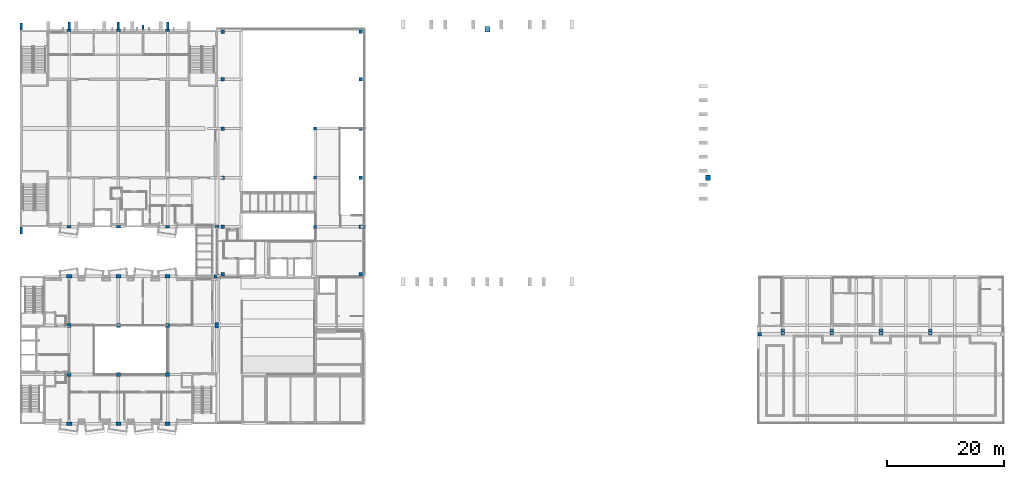
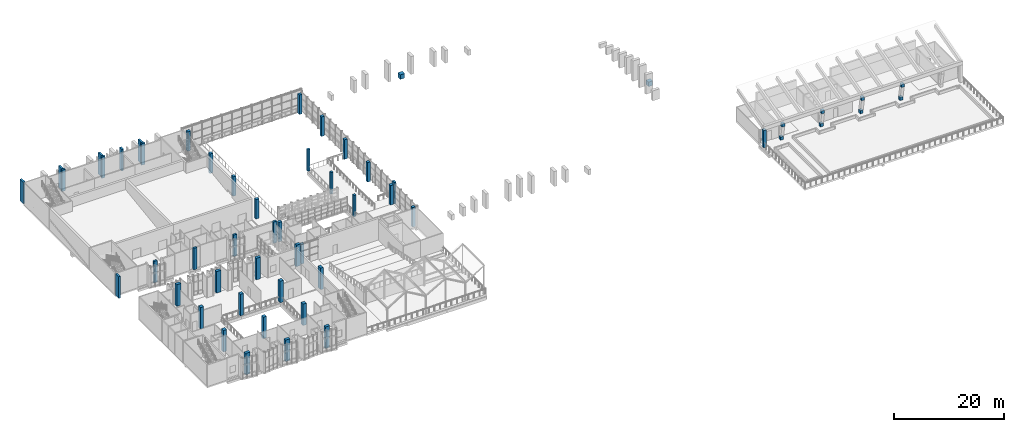
# One storey, part 1 of 67: 54 columns.
"""IFC4 building model written with IfcOpenShell, lengths in metres."""

from ifc_helpers import new_model, si_unit, direction, frame, origin, origin_2d, place, context, subcontext, project, spatial, rectangle, extrude, material, material_profile, profile_set, type_object, element, save


model = new_model("IFC4")

# Units and contexts
model_context = context("Model", 3, precision=1e-05, world=origin(), true_north=direction((0.0, 1.0)))
body_context = subcontext(model_context, "Body", "Model", "MODEL_VIEW")
ifc_project = project(units=[si_unit("LENGTHUNIT", "METRE"), si_unit("AREAUNIT", "SQUARE_METRE"), si_unit("VOLUMEUNIT", "CUBIC_METRE"), si_unit("PLANEANGLEUNIT", "RADIAN"), si_unit("MASSUNIT", "GRAM", prefix="KILO")], contexts=[model_context])

# Site, building, storey
site_placement = place(None, origin())
site = spatial("IfcSite", under=ifc_project, at=site_placement, CompositionType="ELEMENT")
building_placement = place(site_placement, origin())
building = spatial("IfcBuilding", under=site, at=building_placement, Name="Kiln Court Media Centre", CompositionType="ELEMENT")
storey_placement = place(building_placement, frame((0.0, 0.0, 19.800048828125)))
storey = spatial("IfcBuildingStorey", under=building, at=storey_placement, Name="L04", CompositionType="ELEMENT", Elevation=19.800048828125)

# Columns
ifc_material_1 = material(Name="Concrete C40/50", Category="concrete")
ifc_material_profile_1 = material_profile(ifc_material_1, rectangle(XDim=0.5, YDim=0.5, at=origin_2d()), Name="RC 500x500")
ifc_profile_set_1 = profile_set([ifc_material_profile_1], Name="Concrete C40/50")
column_type_1 = type_object("IfcColumnType", Name="Concrete C40/50 column 500x500", PredefinedType="COLUMN", material=ifc_profile_set_1)
for number, where, z_axis, x_axis, name in (
    (1, (50.39990234375, 33.60009765625, 0.0), (0.0, 0.0, 1.0), (1.0, 0.0, 0.0), "L04-C-1021"),
    (2, (50.39990234375, 42.0, 0.0), (0.0, 0.0, 1.0), (1.0, 0.0, 0.0), "L04-C-1022"),
    (3, (50.39990234375, 50.39990234375, 0.0), (0.0, 0.0, 1.0), (1.0, 0.0, 0.0), "L04-C-1023"),
):
    element("IfcColumn", number, at=place(storey_placement, frame(where, z_axis=z_axis, x_axis=x_axis)), inside=storey, type_object=column_type_1, Name=name, PredefinedType="COLUMN", context=body_context, shape_type="SweptSolid", body=[
        extrude(rectangle(XDim=0.5, YDim=0.5, at=origin_2d()), origin(), (0.0, 0.0, 1.0), 4.800048828125),
    ])
ifc_material_2 = material(Name="Concrete C40/50", Category="concrete")
ifc_material_profile_2 = material_profile(ifc_material_2, rectangle(XDim=0.60009765625, YDim=0.60009765625, at=origin_2d()), Name="RC 600x600")
ifc_profile_set_2 = profile_set([ifc_material_profile_2], Name="Concrete C40/50")
column_type_2 = type_object("IfcColumnType", Name="Concrete C40/50 column 600x600", PredefinedType="COLUMN", material=ifc_profile_set_2)
for number, where, z_axis, x_axis, name in (
    (4, (34.64990234375, 25.5, 0.0), (0.0, 0.0, 1.0), (1.0, 0.0, 0.0), "L04-C-1025"),
    (5, (34.64990234375, 33.60009765625, 0.0), (0.0, 0.0, 1.0), (1.0, 0.0, 0.0), "L04-C-1026"),
    (6, (34.64990234375, 42.0, 0.0), (0.0, 0.0, 1.0), (1.0, 0.0, 0.0), "L04-C-1027"),
    (7, (34.64990234375, 50.39990234375, 0.0), (0.0, 0.0, 1.0), (1.0, 0.0, 0.0), "L04-C-1028"),
    (8, (34.64990234375, 58.800048828125, 0.0), (0.0, 0.0, 1.0), (1.0, 0.0, 0.0), "L04-C-1029"),
    (9, (34.64990234375, 66.89990234375, 0.0), (0.0, 0.0, 1.0), (1.0, 0.0, 0.0), "L04-C-1030"),
    (10, (58.14990234375, 25.5, 0.0), (0.0, 0.0, 1.0), (1.0, 0.0, 0.0), "L04-C-1031"),
    (11, (58.14990234375, 33.60009765625, 0.0), (0.0, 0.0, 1.0), (1.0, 0.0, 0.0), "L04-C-1032"),
    (12, (58.14990234375, 42.0, 0.0), (0.0, 0.0, 1.0), (1.0, 0.0, 0.0), "L04-C-1033"),
    (13, (58.14990234375, 50.39990234375, 0.0), (0.0, 0.0, 1.0), (1.0, 0.0, 0.0), "L04-C-1034"),
    (14, (58.14990234375, 58.800048828125, 0.0), (0.0, 0.0, 1.0), (1.0, 0.0, 0.0), "L04-C-1035"),
    (15, (58.14990234375, 66.89990234375, 0.0), (0.0, 0.0, 1.0), (1.0, 0.0, 0.0), "L04-C-1036"),
):
    element("IfcColumn", number, at=place(storey_placement, frame(where, z_axis=z_axis, x_axis=x_axis)), inside=storey, type_object=column_type_2, Name=name, PredefinedType="COLUMN", context=body_context, shape_type="SweptSolid", body=[
        extrude(rectangle(XDim=0.60009765625, YDim=0.60009765625, at=origin_2d()), origin(), (0.0, 0.0, 1.0), 4.349853515625),
    ])
column_1_placement = place(storey_placement, frame((130.199951171875, 15.85888671875, 0.0), z_axis=(0.0, 0.0, 1.0), x_axis=(1.0, 0.0, 0.0)))
element("IfcColumn", 16, at=column_1_placement, inside=storey, type_object=column_type_2, Name="L04-C-1039", PredefinedType="COLUMN", context=body_context, shape_type="SweptSolid", body=[
    extrude(rectangle(XDim=0.60009765625, YDim=0.60009765625, at=origin_2d()), origin(), (0.0, 0.0, 1.0), 0.699951171875),
])
column_2_placement = place(storey_placement, frame((130.199951171875, 15.42333984375, 3.169677734375), z_axis=(0.0, 0.0, 1.0), x_axis=(1.0, 0.0, 0.0)))
element("IfcColumn", 17, at=column_2_placement, inside=storey, type_object=column_type_2, Name="L04-C-1040", PredefinedType="COLUMN", context=body_context, shape_type="SweptSolid", body=[
    extrude(rectangle(XDim=0.60009765625, YDim=0.60009765625, at=origin_2d()), origin(), (0.0, 0.0, 1.0), 0.7001953125),
])
column_3_placement = place(storey_placement, frame((138.60009765625, 15.85888671875, 0.0), z_axis=(0.0, 0.0, 1.0), x_axis=(1.0, 0.0, 0.0)))
element("IfcColumn", 18, at=column_3_placement, inside=storey, type_object=column_type_2, Name="L04-C-1041", PredefinedType="COLUMN", context=body_context, shape_type="SweptSolid", body=[
    extrude(rectangle(XDim=0.60009765625, YDim=0.60009765625, at=origin_2d()), origin(), (0.0, 0.0, 1.0), 0.699951171875),
])
column_4_placement = place(storey_placement, frame((138.60009765625, 15.42333984375, 3.169677734375), z_axis=(0.0, 0.0, 1.0), x_axis=(1.0, 0.0, 0.0)))
element("IfcColumn", 19, at=column_4_placement, inside=storey, type_object=column_type_2, Name="L04-C-1042", PredefinedType="COLUMN", context=body_context, shape_type="SweptSolid", body=[
    extrude(rectangle(XDim=0.60009765625, YDim=0.60009765625, at=origin_2d()), origin(), (0.0, 0.0, 1.0), 0.7001953125),
])
column_5_placement = place(storey_placement, frame((147.0, 15.85888671875, 0.0), z_axis=(0.0, 0.0, 1.0), x_axis=(1.0, 0.0, 0.0)))
element("IfcColumn", 20, at=column_5_placement, inside=storey, type_object=column_type_2, Name="L04-C-1043", PredefinedType="COLUMN", context=body_context, shape_type="SweptSolid", body=[
    extrude(rectangle(XDim=0.60009765625, YDim=0.60009765625, at=origin_2d()), origin(), (0.0, 0.0, 1.0), 0.699951171875),
])
column_6_placement = place(storey_placement, frame((147.0, 15.42333984375, 3.169677734375), z_axis=(0.0, 0.0, 1.0), x_axis=(1.0, 0.0, 0.0)))
element("IfcColumn", 21, at=column_6_placement, inside=storey, type_object=column_type_2, Name="L04-C-1044", PredefinedType="COLUMN", context=body_context, shape_type="SweptSolid", body=[
    extrude(rectangle(XDim=0.60009765625, YDim=0.60009765625, at=origin_2d()), origin(), (0.0, 0.0, 1.0), 0.7001953125),
])
column_7_placement = place(storey_placement, frame((155.39990234375, 15.85888671875, 0.0), z_axis=(0.0, 0.0, 1.0), x_axis=(1.0, 0.0, 0.0)))
element("IfcColumn", 22, at=column_7_placement, inside=storey, type_object=column_type_2, Name="L04-C-1045", PredefinedType="COLUMN", context=body_context, shape_type="SweptSolid", body=[
    extrude(rectangle(XDim=0.60009765625, YDim=0.60009765625, at=origin_2d()), origin(), (0.0, 0.0, 1.0), 0.699951171875),
])
column_8_placement = place(storey_placement, frame((155.39990234375, 15.42333984375, 3.169677734375), z_axis=(0.0, 0.0, 1.0), x_axis=(1.0, 0.0, 0.0)))
element("IfcColumn", 23, at=column_8_placement, inside=storey, type_object=column_type_2, Name="L04-C-1046", PredefinedType="COLUMN", context=body_context, shape_type="SweptSolid", body=[
    extrude(rectangle(XDim=0.60009765625, YDim=0.60009765625, at=origin_2d()), origin(), (0.0, 0.0, 1.0), 0.7001953125),
])
column_9_placement = place(storey_placement, frame((126.300048828125, 15.300048828125, 0.0), z_axis=(0.0, 0.0, 1.0), x_axis=(1.0, 0.0, 0.0)))
element("IfcColumn", 24, at=column_9_placement, inside=storey, type_object=column_type_2, Name="L04-C-1049", PredefinedType="COLUMN", context=body_context, shape_type="SweptSolid", body=[
    extrude(rectangle(XDim=0.60009765625, YDim=0.60009765625, at=origin_2d()), origin(), (0.0, 0.0, 1.0), 3.869873046875),
])
ifc_material_3 = material(Name="Concrete C40/50", Category="concrete")
ifc_material_profile_3 = material_profile(ifc_material_3, rectangle(XDim=0.699951171875, YDim=0.39990234375, at=origin_2d()), Name="RC 700x400")
ifc_profile_set_3 = profile_set([ifc_material_profile_3], Name="Concrete C40/50")
column_type_3 = type_object("IfcColumnType", Name="Concrete C40/50 column 700x400", PredefinedType="COLUMN", material=ifc_profile_set_3)
for number, where, z_axis, x_axis, name in (
    (25, (8.39990234375, 33.60009765625, 0.0), (0.0, 0.0, 1.0), (1.0, 0.0, 0.0), "L04-C-1014"),
    (26, (8.39990234375, 67.199951171875, 0.0), (0.0, 0.0, 1.0), (1.0, 0.0, 0.0), "L04-C-1015"),
    (27, (16.800048828125, 33.60009765625, 0.0), (0.0, 0.0, 1.0), (1.0, 0.0, 0.0), "L04-C-1016"),
    (28, (16.800048828125, 67.199951171875, 0.0), (0.0, 0.0, 1.0), (1.0, 0.0, 0.0), "L04-C-1017"),
    (29, (25.199951171875, 33.60009765625, 0.0), (0.0, 0.0, 1.0), (1.0, 0.0, 0.0), "L04-C-1018"),
    (30, (25.199951171875, 67.199951171875, 0.0), (0.0, 0.0, 1.0), (1.0, 0.0, 0.0), "L04-C-1019"),
    (31, (33.60009765625, 33.60009765625, 0.0), (0.0, 0.0, 1.0), (1.0, 0.0, 0.0), "L04-C-1020"),
    (32, (58.800048828125, 33.60009765625, 0.0), (0.0, 0.0, 1.0), (0.0, 1.0, 0.0), "L04-C-1024"),
):
    element("IfcColumn", number, at=place(storey_placement, frame(where, z_axis=z_axis, x_axis=x_axis)), inside=storey, type_object=column_type_3, Name=name, PredefinedType="COLUMN", context=body_context, shape_type="SweptSolid", body=[
        extrude(rectangle(XDim=0.699951171875, YDim=0.39990234375, at=origin_2d()), origin(), (0.0, 0.0, 1.0), 4.800048828125),
    ])
ifc_material_4 = material(Name="Concrete C40/50", Category="concrete")
ifc_material_profile_4 = material_profile(ifc_material_4, rectangle(XDim=0.699951171875, YDim=0.699951171875, at=origin_2d()), Name="RC 700x700")
ifc_profile_set_4 = profile_set([ifc_material_profile_4], Name="Concrete C40/50")
column_type_4 = type_object("IfcColumnType", Name="Concrete C40/50 column 700x700", PredefinedType="COLUMN", material=ifc_profile_set_4)
for number, where, z_axis, x_axis, name in (
    (33, (8.39990234375, 8.39990234375, 0.0), (0.0, 0.0, 1.0), (1.0, 0.0, 0.0), "L04-C-1001"),
    (34, (8.39990234375, 16.800048828125, 0.0), (0.0, 0.0, 1.0), (1.0, 0.0, 0.0), "L04-C-1002"),
    (35, (16.800048828125, 8.39990234375, 0.0), (0.0, 0.0, 1.0), (1.0, 0.0, 0.0), "L04-C-1005"),
    (36, (16.800048828125, 16.800048828125, 0.0), (0.0, 0.0, 1.0), (1.0, 0.0, 0.0), "L04-C-1006"),
    (37, (25.199951171875, 8.39990234375, 0.0), (0.0, 0.0, 1.0), (1.0, 0.0, 0.0), "L04-C-1009"),
    (38, (25.199951171875, 16.800048828125, 0.0), (0.0, 0.0, 1.0), (1.0, 0.0, 0.0), "L04-C-1010"),
):
    element("IfcColumn", number, at=place(storey_placement, frame(where, z_axis=z_axis, x_axis=x_axis)), inside=storey, type_object=column_type_4, Name=name, PredefinedType="COLUMN", context=body_context, shape_type="SweptSolid", body=[
        extrude(rectangle(XDim=0.699951171875, YDim=0.699951171875, at=origin_2d()), origin(), (0.0, 0.0, 1.0), 4.800048828125),
    ])
ifc_material_5 = material(Name="Concrete C40/50", Category="concrete")
ifc_material_profile_5 = material_profile(ifc_material_5, rectangle(XDim=0.89990234375, YDim=0.60009765625, at=origin_2d()), Name="RC 900x600")
ifc_profile_set_5 = profile_set([ifc_material_profile_5], Name="Concrete C40/50")
column_type_5 = type_object("IfcColumnType", Name="Concrete C40/50 column 900x600", PredefinedType="COLUMN", material=ifc_profile_set_5)
for number, where, z_axis, x_axis, name in (
    (39, (8.39990234375, 0.0, 0.0), (0.0, 0.0, 1.0), (1.0, 0.0, 0.0), "L04-C-1000"),
    (40, (8.39990234375, 25.199951171875, 0.0), (0.0, 0.0, 1.0), (1.0, 0.0, 0.0), "L04-C-1003"),
    (41, (16.800048828125, 0.0, 0.0), (0.0, 0.0, 1.0), (1.0, 0.0, 0.0), "L04-C-1004"),
    (42, (16.800048828125, 25.199951171875, 0.0), (0.0, 0.0, 1.0), (1.0, 0.0, 0.0), "L04-C-1007"),
    (43, (25.199951171875, 0.0, 0.0), (0.0, 0.0, 1.0), (1.0, 0.0, 0.0), "L04-C-1008"),
    (44, (25.199951171875, 25.199951171875, 0.0), (0.0, 0.0, 1.0), (1.0, 0.0, 0.0), "L04-C-1011"),
    (45, (33.60009765625, 16.800048828125, 0.0), (0.0, 0.0, 1.0), (0.0, 1.0, 0.0), "L04-C-1012"),
    (46, (33.60009765625, 25.199951171875, 0.0), (0.0, 0.0, 1.0), (1.0, 0.0, 0.0), "L04-C-1013"),
):
    element("IfcColumn", number, at=place(storey_placement, frame(where, z_axis=z_axis, x_axis=x_axis)), inside=storey, type_object=column_type_5, Name=name, PredefinedType="COLUMN", context=body_context, shape_type="SweptSolid", body=[
        extrude(rectangle(XDim=0.89990234375, YDim=0.60009765625, at=origin_2d()), origin(), (0.0, 0.0, 1.0), 4.800048828125),
    ])
ifc_material_6 = material(Name="Concrete C40/50", Category="concrete")
ifc_material_profile_6 = material_profile(ifc_material_6, rectangle(XDim=0.89990234375, YDim=0.89990234375, at=origin_2d()), Name="RC 900x900")
ifc_profile_set_6 = profile_set([ifc_material_profile_6], Name="Concrete C40/50")
column_type_6 = type_object("IfcColumnType", Name="Concrete C40/50 column 900x900", PredefinedType="COLUMN", material=ifc_profile_set_6)
for number, where, z_axis, x_axis, name in (
    (47, (79.800048828125, 67.343505859375, 0.12646484375), (0.0, 0.0, 1.0), (1.0, 0.0, 0.0), "L04-C-1037"),
    (48, (117.460205078125, 42.0, 0.67822265625), (0.0, 0.0, 1.0), (1.0, 0.0, 0.0), "L04-C-1038"),
):
    element("IfcColumn", number, at=place(storey_placement, frame(where, z_axis=z_axis, x_axis=x_axis)), inside=storey, type_object=column_type_6, Name=name, PredefinedType="COLUMN", context=body_context, shape_type="SweptSolid", body=[
        extrude(rectangle(XDim=0.89990234375, YDim=0.89990234375, at=origin_2d()), origin(), (0.0, 0.0, 1.0), 1.0),
    ])
ifc_material_7 = material(Name="Concrete C40/50", Category="concrete")
ifc_material_profile_7 = material_profile(ifc_material_7, rectangle(XDim=0.35009765625, YDim=0.89990234375, at=origin_2d()), Name="RC 350x900")
ifc_profile_set_7 = profile_set([ifc_material_profile_7], Name="Concrete C40/50")
column_type_7 = type_object("IfcColumnType", Name="Concrete C40/50 pilaster rib 350x900", PredefinedType="PILASTER", material=ifc_profile_set_7)
column_10_placement = place(storey_placement, frame((21.0, 67.64990234375, 0.0), z_axis=(0.0, 0.0, 1.0), x_axis=(1.0, 0.0, 0.0)))
element("IfcColumn", 49, at=column_10_placement, inside=storey, type_object=column_type_7, Name="V4 N rib L04", PredefinedType="PILASTER", context=body_context, shape_type="SweptSolid", body=[
    extrude(rectangle(XDim=0.35009765625, YDim=0.89990234375, at=origin_2d()), origin(), (0.0, 0.0, 1.0), 4.800048828125),
])
ifc_material_8 = material(Name="Concrete C40/50", Category="concrete")
ifc_material_profile_8 = material_profile(ifc_material_8, rectangle(XDim=0.39990234375, YDim=1.199951171875, at=origin_2d()), Name="RC 400x1200")
ifc_profile_set_8 = profile_set([ifc_material_profile_8], Name="Concrete C40/50")
column_type_8 = type_object("IfcColumnType", Name="Concrete C40/50 pilaster rib 400x1200", PredefinedType="PILASTER", material=ifc_profile_set_8)
for number, where, z_axis, x_axis, name in (
    (50, (0.199951171875, 33.0, 0.0), (0.0, 0.0, 1.0), (1.0, 0.0, 0.0), "V4 S rib L04"),
    (51, (0.199951171875, 67.800048828125, 0.0), (0.0, 0.0, 1.0), (1.0, 0.0, 0.0), "V4 N rib L04"),
    (52, (8.39990234375, 68.0, 0.0), (0.0, 0.0, 1.0), (1.0, 0.0, 0.0), "V4 N rib L04"),
    (53, (16.800048828125, 68.0, 0.0), (0.0, 0.0, 1.0), (1.0, 0.0, 0.0), "V4 N rib L04"),
    (54, (25.199951171875, 68.0, 0.0), (0.0, 0.0, 1.0), (1.0, 0.0, 0.0), "V4 N rib L04"),
):
    element("IfcColumn", number, at=place(storey_placement, frame(where, z_axis=z_axis, x_axis=x_axis)), inside=storey, type_object=column_type_8, Name=name, PredefinedType="PILASTER", context=body_context, shape_type="SweptSolid", body=[
        extrude(rectangle(XDim=0.39990234375, YDim=1.199951171875, at=origin_2d()), origin(), (0.0, 0.0, 1.0), 4.800048828125),
    ])

save(model, "model.ifc")
